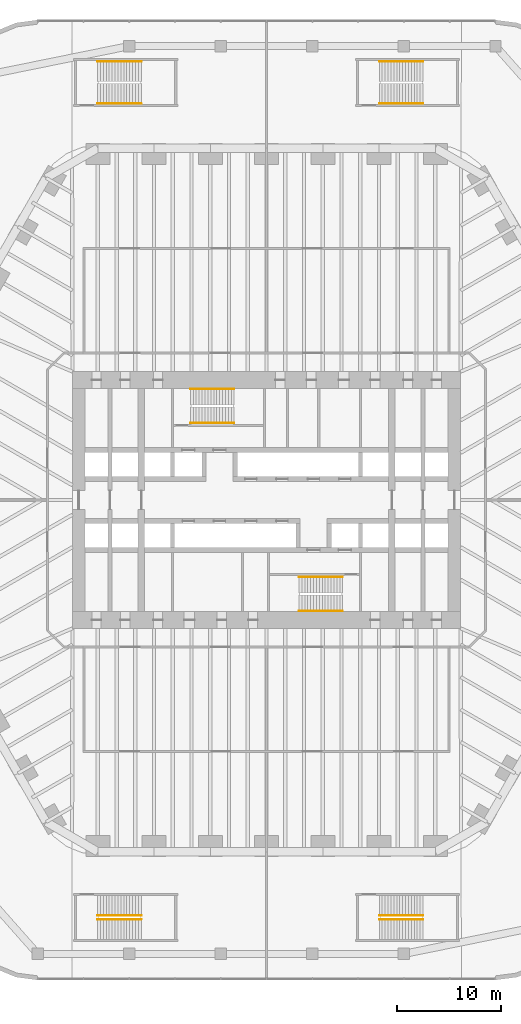
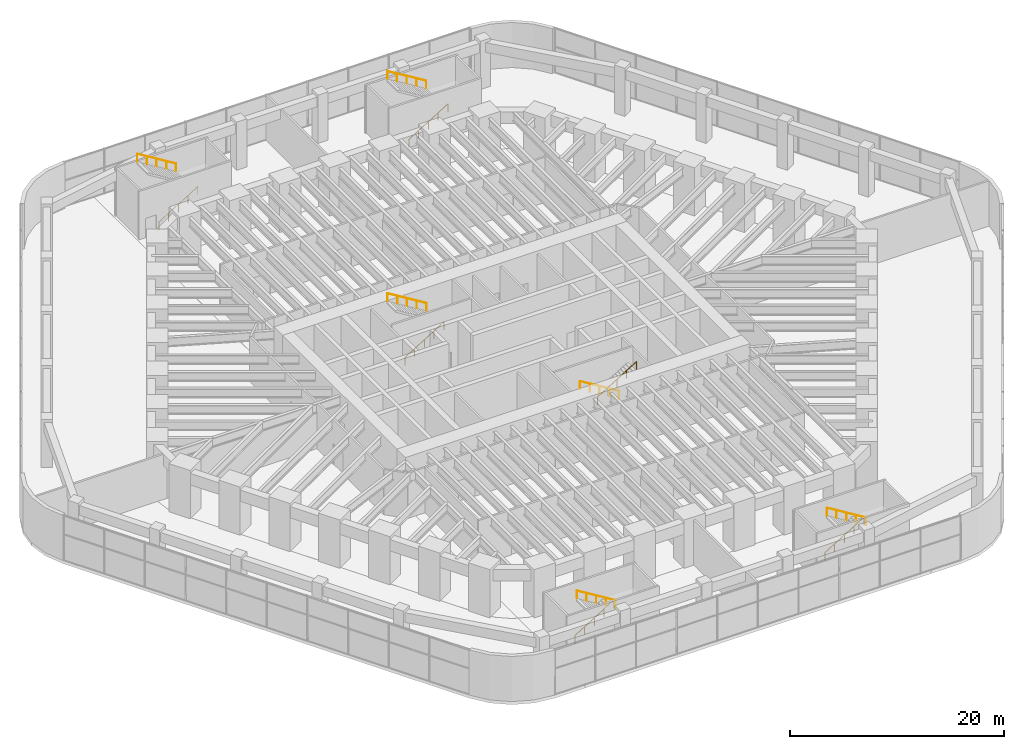
# One storey, part 31 of 31: 12 railings.
"""IFC4 building model written with IfcOpenShell, lengths in metres."""

from ifc_helpers import new_model, si_unit, direction, frame, origin, origin_2d, place, context, subcontext, project, spatial, circle, extrude, material, type_object, element, save


model = new_model("IFC4")

# Units and contexts
model_context = context("Model", 3, precision=1e-05, world=origin(), true_north=direction((0.0, 1.0)))
body_context = subcontext(model_context, "Body", "Model", "MODEL_VIEW")
ifc_project = project(units=[si_unit("LENGTHUNIT", "METRE"), si_unit("AREAUNIT", "SQUARE_METRE"), si_unit("VOLUMEUNIT", "CUBIC_METRE"), si_unit("PLANEANGLEUNIT", "RADIAN"), si_unit("MASSUNIT", "GRAM", prefix="KILO")], contexts=[model_context])

# Site, building, storey
site_placement = place(None, origin())
site = spatial("IfcSite", under=ifc_project, at=site_placement, CompositionType="ELEMENT")
building_placement = place(site_placement, origin())
building = spatial("IfcBuilding", under=site, at=building_placement, Name="Tarfa Lantern Tower", CompositionType="ELEMENT")
storey_placement = place(building_placement, frame((0.0, 0.0, 13.0)))
storey = spatial("IfcBuildingStorey", under=building, at=storey_placement, Name="L02", CompositionType="ELEMENT", Elevation=13.0)

# Railings
ifc_material = material(Name="Stainless steel", Category="steel")
railing_type = type_object("IfcRailingType", Name="HR1 HANDRAIL 900", PredefinedType="HANDRAIL", material=ifc_material)
railing_1_placement = place(storey_placement, frame((-7.300048828125, 7.3798828125, 0.171875)))
element("IfcRailing", 1, at=railing_1_placement, inside=storey, type_object=railing_type, Name="Handrail 1", PredefinedType="HANDRAIL", context=body_context, shape_type="SweptSolid", body=[
    extrude(circle(Radius=0.02392578125, at=origin_2d()), frame((0.0, 0.0, 0.8759765625), z_axis=(0.852242915053, 0.0, 0.523146264196), x_axis=(0.0, 1.0, 0.0)), (0.0, 0.0, 1.0), 4.92822265625),
    extrude(circle(Radius=0.02099609375, at=origin_2d()), frame((0.0, 0.0, 0.0), z_axis=(0.0, 0.0, 1.0), x_axis=(0.0, 1.0, 0.0)), (0.0, 0.0, 1.0), 0.851806640625),
    extrude(circle(Radius=0.02099609375, at=origin_2d()), frame((1.050048828125, 0.0, 0.64453125), z_axis=(0.0, 0.0, 1.0), x_axis=(0.0, 1.0, 0.0)), (0.0, 0.0, 1.0), 0.851806640625),
    extrude(circle(Radius=0.02099609375, at=origin_2d()), frame((2.10009765625, 0.0, 1.2890625), z_axis=(0.0, 0.0, 1.0), x_axis=(0.0, 1.0, 0.0)), (0.0, 0.0, 1.0), 0.851806640625),
    extrude(circle(Radius=0.02099609375, at=origin_2d()), frame((3.14990234375, 0.0, 1.93359375), z_axis=(0.0, 0.0, 1.0), x_axis=(0.0, 1.0, 0.0)), (0.0, 0.0, 1.0), 0.851806640625),
    extrude(circle(Radius=0.02099609375, at=origin_2d()), frame((4.199951171875, 0.0, 2.578125), z_axis=(0.0, 0.0, 1.0), x_axis=(0.0, 1.0, 0.0)), (0.0, 0.0, 1.0), 0.851806640625),
])
for number, where, name in (
    (2, (-3.10009765625, 10.6201171875, 2.921875), "Handrail 2"),
    (3, (7.300048828125, -7.3798828125, 0.171875), "Handrail 1"),
):
    element("IfcRailing", number, at=place(storey_placement, frame(where)), inside=storey, type_object=railing_type, Name=name, PredefinedType="HANDRAIL", context=body_context, shape_type="SweptSolid", body=[
        extrude(circle(Radius=0.02392578125, at=origin_2d()), frame((0.0, 0.0, 0.8759765625), z_axis=(-0.852242915053, 0.0, 0.523146264196), x_axis=(0.0, -1.0, 0.0)), (0.0, 0.0, 1.0), 4.92822265625),
        extrude(circle(Radius=0.02099609375, at=origin_2d()), frame((0.0, 0.0, 0.0), z_axis=(0.0, 0.0, 1.0), x_axis=(0.0, -1.0, 0.0)), (0.0, 0.0, 1.0), 0.851806640625),
        extrude(circle(Radius=0.02099609375, at=origin_2d()), frame((-1.050048828125, 0.0, 0.64453125), z_axis=(0.0, 0.0, 1.0), x_axis=(0.0, -1.0, 0.0)), (0.0, 0.0, 1.0), 0.851806640625),
        extrude(circle(Radius=0.02099609375, at=origin_2d()), frame((-2.10009765625, 0.0, 1.2890625), z_axis=(0.0, 0.0, 1.0), x_axis=(0.0, -1.0, 0.0)), (0.0, 0.0, 1.0), 0.851806640625),
        extrude(circle(Radius=0.02099609375, at=origin_2d()), frame((-3.14990234375, 0.0, 1.93359375), z_axis=(0.0, 0.0, 1.0), x_axis=(0.0, -1.0, 0.0)), (0.0, 0.0, 1.0), 0.851806640625),
        extrude(circle(Radius=0.02099609375, at=origin_2d()), frame((-4.199951171875, 0.0, 2.578125), z_axis=(0.0, 0.0, 1.0), x_axis=(0.0, -1.0, 0.0)), (0.0, 0.0, 1.0), 0.851806640625),
    ])
for number, where, name in (
    (4, (3.10009765625, -10.6201171875, 2.921875), "Handrail 2"),
    (5, (10.800048828125, 37.97998046875, 0.171875), "Handrail 1"),
):
    element("IfcRailing", number, at=place(storey_placement, frame(where)), inside=storey, type_object=railing_type, Name=name, PredefinedType="HANDRAIL", context=body_context, shape_type="SweptSolid", body=[
        extrude(circle(Radius=0.02392578125, at=origin_2d()), frame((0.0, 0.0, 0.8759765625), z_axis=(0.852242915053, 0.0, 0.523146264196), x_axis=(0.0, 1.0, 0.0)), (0.0, 0.0, 1.0), 4.92822265625),
        extrude(circle(Radius=0.02099609375, at=origin_2d()), frame((0.0, 0.0, 0.0), z_axis=(0.0, 0.0, 1.0), x_axis=(0.0, 1.0, 0.0)), (0.0, 0.0, 1.0), 0.851806640625),
        extrude(circle(Radius=0.02099609375, at=origin_2d()), frame((1.050048828125, 0.0, 0.64453125), z_axis=(0.0, 0.0, 1.0), x_axis=(0.0, 1.0, 0.0)), (0.0, 0.0, 1.0), 0.851806640625),
        extrude(circle(Radius=0.02099609375, at=origin_2d()), frame((2.10009765625, 0.0, 1.2890625), z_axis=(0.0, 0.0, 1.0), x_axis=(0.0, 1.0, 0.0)), (0.0, 0.0, 1.0), 0.851806640625),
        extrude(circle(Radius=0.02099609375, at=origin_2d()), frame((3.14990234375, 0.0, 1.93359375), z_axis=(0.0, 0.0, 1.0), x_axis=(0.0, 1.0, 0.0)), (0.0, 0.0, 1.0), 0.851806640625),
        extrude(circle(Radius=0.02099609375, at=origin_2d()), frame((4.199951171875, 0.0, 2.578125), z_axis=(0.0, 0.0, 1.0), x_axis=(0.0, 1.0, 0.0)), (0.0, 0.0, 1.0), 0.851806640625),
    ])
railing_2_placement = place(storey_placement, frame((15.0, 42.02001953125, 2.921875)))
element("IfcRailing", 6, at=railing_2_placement, inside=storey, type_object=railing_type, Name="Handrail 2", PredefinedType="HANDRAIL", context=body_context, shape_type="SweptSolid", body=[
    extrude(circle(Radius=0.02392578125, at=origin_2d()), frame((0.0, 0.0, 0.8759765625), z_axis=(-0.852242915053, 0.0, 0.523146264196), x_axis=(0.0, -1.0, 0.0)), (0.0, 0.0, 1.0), 4.92822265625),
    extrude(circle(Radius=0.02099609375, at=origin_2d()), frame((0.0, 0.0, 0.0), z_axis=(0.0, 0.0, 1.0), x_axis=(0.0, -1.0, 0.0)), (0.0, 0.0, 1.0), 0.851806640625),
    extrude(circle(Radius=0.02099609375, at=origin_2d()), frame((-1.050048828125, 0.0, 0.64453125), z_axis=(0.0, 0.0, 1.0), x_axis=(0.0, -1.0, 0.0)), (0.0, 0.0, 1.0), 0.851806640625),
    extrude(circle(Radius=0.02099609375, at=origin_2d()), frame((-2.10009765625, 0.0, 1.2890625), z_axis=(0.0, 0.0, 1.0), x_axis=(0.0, -1.0, 0.0)), (0.0, 0.0, 1.0), 0.851806640625),
    extrude(circle(Radius=0.02099609375, at=origin_2d()), frame((-3.14990234375, 0.0, 1.93359375), z_axis=(0.0, 0.0, 1.0), x_axis=(0.0, -1.0, 0.0)), (0.0, 0.0, 1.0), 0.851806640625),
    extrude(circle(Radius=0.02099609375, at=origin_2d()), frame((-4.199951171875, 0.0, 2.578125), z_axis=(0.0, 0.0, 1.0), x_axis=(0.0, -1.0, 0.0)), (0.0, 0.0, 1.0), 0.851806640625),
])
railing_3_placement = place(storey_placement, frame((-16.199951171875, 37.97998046875, 0.171875)))
element("IfcRailing", 7, at=railing_3_placement, inside=storey, type_object=railing_type, Name="Handrail 1", PredefinedType="HANDRAIL", context=body_context, shape_type="SweptSolid", body=[
    extrude(circle(Radius=0.02392578125, at=origin_2d()), frame((0.0, 0.0, 0.8759765625), z_axis=(0.852242915053, 0.0, 0.523146264196), x_axis=(0.0, 1.0, 0.0)), (0.0, 0.0, 1.0), 4.92822265625),
    extrude(circle(Radius=0.02099609375, at=origin_2d()), frame((0.0, 0.0, 0.0), z_axis=(0.0, 0.0, 1.0), x_axis=(0.0, 1.0, 0.0)), (0.0, 0.0, 1.0), 0.851806640625),
    extrude(circle(Radius=0.02099609375, at=origin_2d()), frame((1.050048828125, 0.0, 0.64453125), z_axis=(0.0, 0.0, 1.0), x_axis=(0.0, 1.0, 0.0)), (0.0, 0.0, 1.0), 0.851806640625),
    extrude(circle(Radius=0.02099609375, at=origin_2d()), frame((2.10009765625, 0.0, 1.2890625), z_axis=(0.0, 0.0, 1.0), x_axis=(0.0, 1.0, 0.0)), (0.0, 0.0, 1.0), 0.851806640625),
    extrude(circle(Radius=0.02099609375, at=origin_2d()), frame((3.14990234375, 0.0, 1.93359375), z_axis=(0.0, 0.0, 1.0), x_axis=(0.0, 1.0, 0.0)), (0.0, 0.0, 1.0), 0.851806640625),
    extrude(circle(Radius=0.02099609375, at=origin_2d()), frame((4.199951171875, 0.0, 2.578125), z_axis=(0.0, 0.0, 1.0), x_axis=(0.0, 1.0, 0.0)), (0.0, 0.0, 1.0), 0.851806640625),
])
railing_4_placement = place(storey_placement, frame((-12.0, 42.02001953125, 2.921875)))
element("IfcRailing", 8, at=railing_4_placement, inside=storey, type_object=railing_type, Name="Handrail 2", PredefinedType="HANDRAIL", context=body_context, shape_type="SweptSolid", body=[
    extrude(circle(Radius=0.02392578125, at=origin_2d()), frame((0.0, 0.0, 0.8759765625), z_axis=(-0.852242915053, 0.0, 0.523146264196), x_axis=(0.0, -1.0, 0.0)), (0.0, 0.0, 1.0), 4.92822265625),
    extrude(circle(Radius=0.02099609375, at=origin_2d()), frame((0.0, 0.0, 0.0), z_axis=(0.0, 0.0, 1.0), x_axis=(0.0, -1.0, 0.0)), (0.0, 0.0, 1.0), 0.851806640625),
    extrude(circle(Radius=0.02099609375, at=origin_2d()), frame((-1.050048828125, 0.0, 0.64453125), z_axis=(0.0, 0.0, 1.0), x_axis=(0.0, -1.0, 0.0)), (0.0, 0.0, 1.0), 0.851806640625),
    extrude(circle(Radius=0.02099609375, at=origin_2d()), frame((-2.10009765625, 0.0, 1.2890625), z_axis=(0.0, 0.0, 1.0), x_axis=(0.0, -1.0, 0.0)), (0.0, 0.0, 1.0), 0.851806640625),
    extrude(circle(Radius=0.02099609375, at=origin_2d()), frame((-3.14990234375, 0.0, 1.93359375), z_axis=(0.0, 0.0, 1.0), x_axis=(0.0, -1.0, 0.0)), (0.0, 0.0, 1.0), 0.851806640625),
    extrude(circle(Radius=0.02099609375, at=origin_2d()), frame((-4.199951171875, 0.0, 2.578125), z_axis=(0.0, 0.0, 1.0), x_axis=(0.0, -1.0, 0.0)), (0.0, 0.0, 1.0), 0.851806640625),
])
railing_5_placement = place(storey_placement, frame((-16.199951171875, -39.820068359375, 0.171875)))
element("IfcRailing", 9, at=railing_5_placement, inside=storey, type_object=railing_type, Name="Handrail 1", PredefinedType="HANDRAIL", context=body_context, shape_type="SweptSolid", body=[
    extrude(circle(Radius=0.02392578125, at=origin_2d()), frame((0.0, 0.0, 0.8759765625), z_axis=(0.852242915053, 0.0, 0.523146264196), x_axis=(0.0, 1.0, 0.0)), (0.0, 0.0, 1.0), 4.92822265625),
    extrude(circle(Radius=0.02099609375, at=origin_2d()), frame((0.0, 0.0, 0.0), z_axis=(0.0, 0.0, 1.0), x_axis=(0.0, 1.0, 0.0)), (0.0, 0.0, 1.0), 0.851806640625),
    extrude(circle(Radius=0.02099609375, at=origin_2d()), frame((1.050048828125, 0.0, 0.64453125), z_axis=(0.0, 0.0, 1.0), x_axis=(0.0, 1.0, 0.0)), (0.0, 0.0, 1.0), 0.851806640625),
    extrude(circle(Radius=0.02099609375, at=origin_2d()), frame((2.10009765625, 0.0, 1.2890625), z_axis=(0.0, 0.0, 1.0), x_axis=(0.0, 1.0, 0.0)), (0.0, 0.0, 1.0), 0.851806640625),
    extrude(circle(Radius=0.02099609375, at=origin_2d()), frame((3.14990234375, 0.0, 1.93359375), z_axis=(0.0, 0.0, 1.0), x_axis=(0.0, 1.0, 0.0)), (0.0, 0.0, 1.0), 0.851806640625),
    extrude(circle(Radius=0.02099609375, at=origin_2d()), frame((4.199951171875, 0.0, 2.578125), z_axis=(0.0, 0.0, 1.0), x_axis=(0.0, 1.0, 0.0)), (0.0, 0.0, 1.0), 0.851806640625),
])
railing_6_placement = place(storey_placement, frame((-12.0, -40.179931640625, 2.921875)))
element("IfcRailing", 10, at=railing_6_placement, inside=storey, type_object=railing_type, Name="Handrail 2", PredefinedType="HANDRAIL", context=body_context, shape_type="SweptSolid", body=[
    extrude(circle(Radius=0.02392578125, at=origin_2d()), frame((0.0, 0.0, 0.8759765625), z_axis=(-0.852242915053, 0.0, 0.523146264196), x_axis=(0.0, -1.0, 0.0)), (0.0, 0.0, 1.0), 4.92822265625),
    extrude(circle(Radius=0.02099609375, at=origin_2d()), frame((0.0, 0.0, 0.0), z_axis=(0.0, 0.0, 1.0), x_axis=(0.0, -1.0, 0.0)), (0.0, 0.0, 1.0), 0.851806640625),
    extrude(circle(Radius=0.02099609375, at=origin_2d()), frame((-1.050048828125, 0.0, 0.64453125), z_axis=(0.0, 0.0, 1.0), x_axis=(0.0, -1.0, 0.0)), (0.0, 0.0, 1.0), 0.851806640625),
    extrude(circle(Radius=0.02099609375, at=origin_2d()), frame((-2.10009765625, 0.0, 1.2890625), z_axis=(0.0, 0.0, 1.0), x_axis=(0.0, -1.0, 0.0)), (0.0, 0.0, 1.0), 0.851806640625),
    extrude(circle(Radius=0.02099609375, at=origin_2d()), frame((-3.14990234375, 0.0, 1.93359375), z_axis=(0.0, 0.0, 1.0), x_axis=(0.0, -1.0, 0.0)), (0.0, 0.0, 1.0), 0.851806640625),
    extrude(circle(Radius=0.02099609375, at=origin_2d()), frame((-4.199951171875, 0.0, 2.578125), z_axis=(0.0, 0.0, 1.0), x_axis=(0.0, -1.0, 0.0)), (0.0, 0.0, 1.0), 0.851806640625),
])
railing_7_placement = place(storey_placement, frame((10.800048828125, -39.820068359375, 0.171875)))
element("IfcRailing", 11, at=railing_7_placement, inside=storey, type_object=railing_type, Name="Handrail 1", PredefinedType="HANDRAIL", context=body_context, shape_type="SweptSolid", body=[
    extrude(circle(Radius=0.02392578125, at=origin_2d()), frame((0.0, 0.0, 0.8759765625), z_axis=(0.852242915053, 0.0, 0.523146264196), x_axis=(0.0, 1.0, 0.0)), (0.0, 0.0, 1.0), 4.92822265625),
    extrude(circle(Radius=0.02099609375, at=origin_2d()), frame((0.0, 0.0, 0.0), z_axis=(0.0, 0.0, 1.0), x_axis=(0.0, 1.0, 0.0)), (0.0, 0.0, 1.0), 0.851806640625),
    extrude(circle(Radius=0.02099609375, at=origin_2d()), frame((1.050048828125, 0.0, 0.64453125), z_axis=(0.0, 0.0, 1.0), x_axis=(0.0, 1.0, 0.0)), (0.0, 0.0, 1.0), 0.851806640625),
    extrude(circle(Radius=0.02099609375, at=origin_2d()), frame((2.10009765625, 0.0, 1.2890625), z_axis=(0.0, 0.0, 1.0), x_axis=(0.0, 1.0, 0.0)), (0.0, 0.0, 1.0), 0.851806640625),
    extrude(circle(Radius=0.02099609375, at=origin_2d()), frame((3.14990234375, 0.0, 1.93359375), z_axis=(0.0, 0.0, 1.0), x_axis=(0.0, 1.0, 0.0)), (0.0, 0.0, 1.0), 0.851806640625),
    extrude(circle(Radius=0.02099609375, at=origin_2d()), frame((4.199951171875, 0.0, 2.578125), z_axis=(0.0, 0.0, 1.0), x_axis=(0.0, 1.0, 0.0)), (0.0, 0.0, 1.0), 0.851806640625),
])
railing_8_placement = place(storey_placement, frame((15.0, -40.179931640625, 2.921875)))
element("IfcRailing", 12, at=railing_8_placement, inside=storey, type_object=railing_type, Name="Handrail 2", PredefinedType="HANDRAIL", context=body_context, shape_type="SweptSolid", body=[
    extrude(circle(Radius=0.02392578125, at=origin_2d()), frame((0.0, 0.0, 0.8759765625), z_axis=(-0.852242915053, 0.0, 0.523146264196), x_axis=(0.0, -1.0, 0.0)), (0.0, 0.0, 1.0), 4.92822265625),
    extrude(circle(Radius=0.02099609375, at=origin_2d()), frame((0.0, 0.0, 0.0), z_axis=(0.0, 0.0, 1.0), x_axis=(0.0, -1.0, 0.0)), (0.0, 0.0, 1.0), 0.851806640625),
    extrude(circle(Radius=0.02099609375, at=origin_2d()), frame((-1.050048828125, 0.0, 0.64453125), z_axis=(0.0, 0.0, 1.0), x_axis=(0.0, -1.0, 0.0)), (0.0, 0.0, 1.0), 0.851806640625),
    extrude(circle(Radius=0.02099609375, at=origin_2d()), frame((-2.10009765625, 0.0, 1.2890625), z_axis=(0.0, 0.0, 1.0), x_axis=(0.0, -1.0, 0.0)), (0.0, 0.0, 1.0), 0.851806640625),
    extrude(circle(Radius=0.02099609375, at=origin_2d()), frame((-3.14990234375, 0.0, 1.93359375), z_axis=(0.0, 0.0, 1.0), x_axis=(0.0, -1.0, 0.0)), (0.0, 0.0, 1.0), 0.851806640625),
    extrude(circle(Radius=0.02099609375, at=origin_2d()), frame((-4.199951171875, 0.0, 2.578125), z_axis=(0.0, 0.0, 1.0), x_axis=(0.0, -1.0, 0.0)), (0.0, 0.0, 1.0), 0.851806640625),
])

save(model, "model.ifc")
